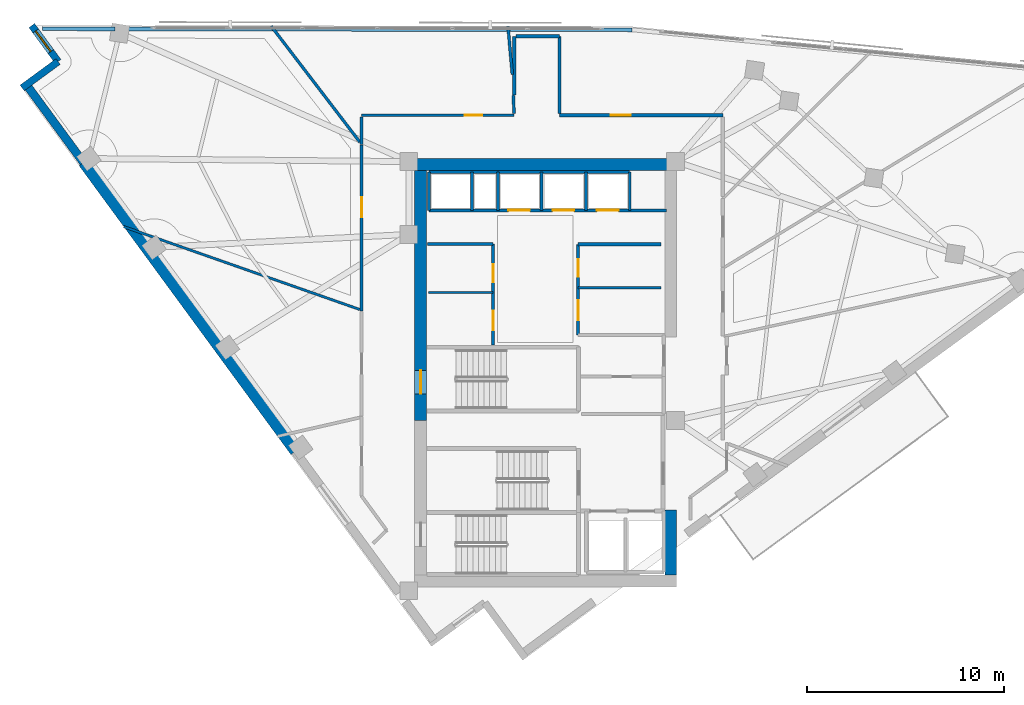
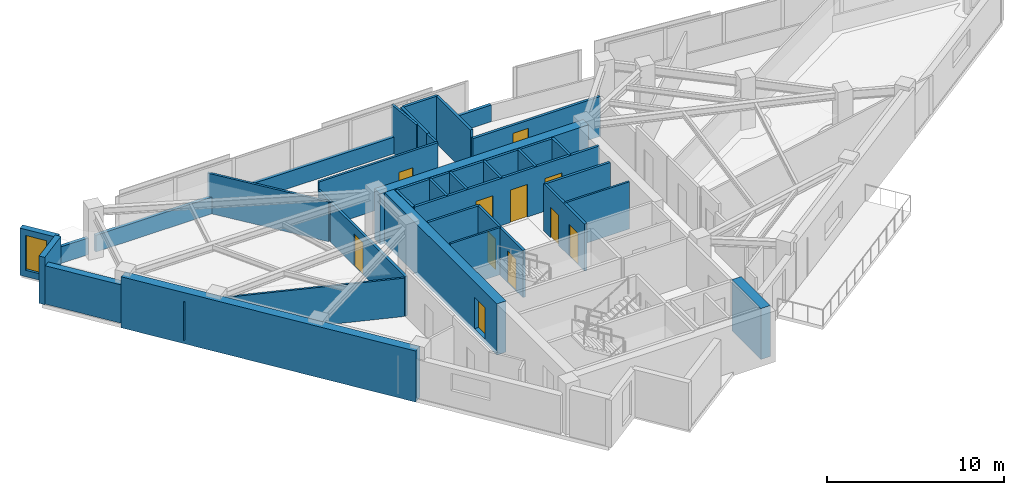
# One storey, part 9 of 13: 35 walls, 11 doors, 1 window, 12 openings.
"""IFC4 building model written with IfcOpenShell, lengths in metres."""

from ifc_helpers import new_model, si_unit, direction, frame, frame_2d, origin, place, context, subcontext, project, spatial, rectangle, extrude, material, layer, layer_set, type_object, element, fill, save


model = new_model("IFC4")

# Units and contexts
model_context = context("Model", 3, precision=1e-05, world=origin(), true_north=direction((0.0, 1.0)))
body_context = subcontext(model_context, "Body", "Model", "MODEL_VIEW")
ifc_project = project(units=[si_unit("LENGTHUNIT", "METRE"), si_unit("AREAUNIT", "SQUARE_METRE"), si_unit("VOLUMEUNIT", "CUBIC_METRE"), si_unit("PLANEANGLEUNIT", "RADIAN"), si_unit("MASSUNIT", "GRAM", prefix="KILO")], contexts=[model_context])

# Site, building, storey
site_placement = place(None, origin())
site = spatial("IfcSite", under=ifc_project, at=site_placement, CompositionType="ELEMENT")
building_placement = place(site_placement, origin())
building = spatial("IfcBuilding", under=site, at=building_placement, Name="Narakoshi Arena Tower", CompositionType="ELEMENT")
storey_placement = place(building_placement, frame((0.0, 0.0, 232.580078125)))
storey = spatial("IfcBuildingStorey", under=building, at=storey_placement, Name="L63", CompositionType="ELEMENT", Elevation=232.580078125)

# Wall
ifc_material_1 = material(Name="Concrete C50/60", Category="concrete")
ifc_layer_1 = layer(ifc_material_1, 0.60009765625)
ifc_layer_set_1 = layer_set([ifc_layer_1], Name="Concrete C50/60")
wall_type_1 = type_object("IfcWallType", Name="WL-CORE-600", PredefinedType="SHEAR", material=ifc_layer_set_1)
wall_1_placement = place(storey_placement, frame((85.300048828125, 35.5, -0.260009765625), z_axis=(0.0, 0.0, 1.0), x_axis=(0.0, 1.0, 0.0)))
element("IfcWall", 1, at=wall_1_placement, inside=storey, type_object=wall_type_1, Name="L63 Central Core Shear Wall CW-APX-E", PredefinedType="SHEAR", context=body_context, shape_type="SweptSolid", body=[
    extrude(rectangle(XDim=3.300048828125, YDim=0.60009765625, at=frame_2d((1.64990234375, 0.0))), origin(), (0.0, 0.0, 1.0), 3.52001953125),
])

# Wall, opening, door
wall_2_placement = place(storey_placement, frame((72.60009765625, 43.35009765625, -0.260009765625), z_axis=(0.0, 0.0, 1.0), x_axis=(0.0, 1.0, 0.0)))
wall_2 = element("IfcWall", 2, at=wall_2_placement, inside=storey, type_object=wall_type_1, Name="L63 Main Core Shear Wall CW-MN-W", PredefinedType="SHEAR", context=body_context, shape_type="SweptSolid", body=[
    extrude(rectangle(XDim=12.699951171875, YDim=0.60009765625, at=frame_2d((6.35009765625, 0.0))), origin(), (0.0, 0.0, 1.0), 3.52001953125),
])
opening_1_placement = place(wall_2_placement, frame((1.35009765625, 0.0, 0.260009765625)))
opening_1 = element("IfcOpeningElement", 3, at=opening_1_placement, cuts=wall_2, Name="Opening D-03", PredefinedType="OPENING", context=body_context, shape_type="SweptSolid", body=[
    extrude(rectangle(XDim=1.199951171875, YDim=2.199951171875, at=frame_2d((0.60009765625, 1.10009765625))), frame((0.0, 0.31005859375, 0.0), z_axis=(0.0, -1.0, 0.0), x_axis=(1.0, 0.0, 0.0)), (0.0, 0.0, 1.0), 0.6201171875),
])
ifc_material_2 = material(Name="Painted galvanized steel", Category="steel")
door_type_1 = type_object("IfcDoorType", Name="DR-STR-1200", OperationType="NOTDEFINED", PredefinedType="USERDEFINED", material=ifc_material_2)
door_1_placement = place(opening_1_placement, frame((1.199951171875, 0.0, 0.0), z_axis=(0.0, 0.0, 1.0), x_axis=(-1.0, 0.0, 0.0)))
door_1 = element("IfcDoor", 4, at=door_1_placement, inside=storey, type_object=door_type_1, Name="DR-L63-007", ObjectType="EXITDOOR", OperationType="SINGLE_SWING_LEFT", OverallHeight=2.199951171875, OverallWidth=1.199951171875, PredefinedType="USERDEFINED", context=body_context, shape_type="SweptSolid", body=[
    extrude(rectangle(XDim=1.199951171875, YDim=2.199951171875, at=frame_2d((0.60009765625, 1.10009765625))), frame((0.0, 0.02490234375, 0.0), z_axis=(0.0, -1.0, 0.0), x_axis=(1.0, 0.0, 0.0)), (0.0, 0.0, 1.0), 0.050048828125),
])
fill(opening_1, door_1)

# Wall
wall_3_placement = place(storey_placement, frame((72.0, 56.35009765625, -0.260009765625), z_axis=(0.0, 0.0, 1.0), x_axis=(1.0, 0.0, 0.0)))
element("IfcWall", 5, at=wall_3_placement, inside=storey, type_object=wall_type_1, Name="L63 Main Core Shear Wall CW-MN-N", PredefinedType="SHEAR", context=body_context, shape_type="SweptSolid", body=[
    extrude(rectangle(XDim=13.60009765625, YDim=0.60009765625, at=frame_2d((6.800048828125, 0.0))), origin(), (0.0, 0.0, 1.0), 3.52001953125),
])

# Wall, opening, door
ifc_material_3 = material(Name="Gypsum plasterboard fire-rated partition")
ifc_layer_2 = layer(ifc_material_3, 0.1650390625)
ifc_layer_set_2 = layer_set([ifc_layer_2], Name="Gypsum plasterboard fire-rated partition")
wall_type_2 = type_object("IfcWallType", Name="WL-CORR-165", PredefinedType="PARTITIONING", material=ifc_layer_set_2)
wall_4_placement = place(storey_placement, frame((87.949951171875, 58.85009765625, 0.0), z_axis=(0.0, 0.0, 1.0), x_axis=(-1.0, 0.0, 0.0)))
wall_4 = element("IfcWall", 6, at=wall_4_placement, inside=storey, type_object=wall_type_2, Name="L63 Corridor Partition 06-1", PredefinedType="PARTITIONING", context=body_context, shape_type="SweptSolid", body=[
    extrude(rectangle(XDim=8.300048828125, YDim=0.1650390625, at=frame_2d((4.14990234375, 0.0))), origin(), (0.0, 0.0, 1.0), 2.744873046875),
])
opening_2_placement = place(wall_4_placement, frame((4.68505859375, 0.0, 0.0)))
opening_2 = element("IfcOpeningElement", 7, at=opening_2_placement, cuts=wall_4, Name="Opening D-06", PredefinedType="OPENING", context=body_context, shape_type="SweptSolid", body=[
    extrude(rectangle(XDim=1.0, YDim=2.199951171875, at=frame_2d((0.5, 1.10009765625))), frame((0.0, 0.092529296875, 0.0), z_axis=(0.0, -1.0, 0.0), x_axis=(1.0, 0.0, 0.0)), (0.0, 0.0, 1.0), 0.18505859375),
])
ifc_material_4 = material(Name="Stained oak solid-core timber", Category="wood")
door_type_2 = type_object("IfcDoorType", Name="DR-OFF-1000", OperationType="NOTDEFINED", PredefinedType="DOOR", material=ifc_material_4)
door_2_placement = place(opening_2_placement, frame((1.0, 0.0, 0.0), z_axis=(0.0, 0.0, 1.0), x_axis=(-1.0, 0.0, 0.0)))
door_2 = element("IfcDoor", 8, at=door_2_placement, inside=storey, type_object=door_type_2, Name="DR-L63-022", OperationType="SINGLE_SWING_RIGHT", OverallHeight=2.199951171875, OverallWidth=1.0, PredefinedType="DOOR", context=body_context, shape_type="SweptSolid", body=[
    extrude(rectangle(XDim=1.0, YDim=2.199951171875, at=frame_2d((0.5, 1.10009765625))), frame((0.0, 0.02490234375, 0.0), z_axis=(0.0, -1.0, 0.0), x_axis=(1.0, 0.0, 0.0)), (0.0, 0.0, 1.0), 0.050048828125),
])
fill(opening_2, door_2)

# Walls
wall_5_placement = place(storey_placement, frame((79.64990234375, 58.944580078125, 0.0), z_axis=(0.0, 0.0, 1.0), x_axis=(0.0, 1.0, 0.0)))
element("IfcWall", 9, at=wall_5_placement, inside=storey, type_object=wall_type_2, Name="L63 Corridor Partition 06-3", PredefinedType="PARTITIONING", context=body_context, shape_type="SweptSolid", body=[
    extrude(rectangle(XDim=3.91552734375, YDim=0.1650390625, at=frame_2d((1.957763671875, 0.0))), origin(), (0.0, 0.0, 1.0), 3.260009765625),
])
wall_6_placement = place(storey_placement, frame((77.35009765625, 62.8642578125, 0.0), z_axis=(0.0, 0.0, 1.0), x_axis=(0.0, -1.0, 0.0)))
element("IfcWall", 10, at=wall_6_placement, inside=storey, type_object=wall_type_2, Name="L63 Corridor Partition 06-4", PredefinedType="PARTITIONING", context=body_context, shape_type="SweptSolid", body=[
    extrude(rectangle(XDim=2.994384765625, YDim=0.1650390625, at=frame_2d((1.4970703125, 0.0))), origin(), (0.0, 0.0, 1.0), 3.260009765625),
])
wall_7_placement = place(storey_placement, frame((79.64990234375, 62.860107421875, 0.0), z_axis=(0.0, 0.0, 1.0), x_axis=(-0.999998431282, 0.001771280295, 0.0)))
element("IfcWall", 11, at=wall_7_placement, inside=storey, type_object=wall_type_2, Name="L63 Corridor Partition 06-5", PredefinedType="PARTITIONING", context=body_context, shape_type="SweptSolid", body=[
    extrude(rectangle(XDim=2.205322265625, YDim=0.1650390625, at=frame_2d((1.1025390625, 0.0))), origin(), (0.0, 0.0, 1.0), 3.260009765625),
])

# Wall, opening, door
wall_8_placement = place(storey_placement, frame((69.60009765625, 57.334716796875, 0.0), z_axis=(0.0, 0.0, 1.0), x_axis=(0.0, -1.0, 0.0)))
wall_8 = element("IfcWall", 12, at=wall_8_placement, inside=storey, type_object=wall_type_2, Name="L63 Corridor Partition 08-1", PredefinedType="PARTITIONING", context=body_context, shape_type="SweptSolid", body=[
    extrude(rectangle(XDim=8.418701171875, YDim=0.1650390625, at=frame_2d((4.20947265625, 0.0))), origin(), (0.0, 0.0, 1.0), 2.744873046875),
])
opening_3_placement = place(wall_8_placement, frame((2.656494140625, 0.0, 0.0)))
opening_3 = element("IfcOpeningElement", 13, at=opening_3_placement, cuts=wall_8, Name="Opening D-06", PredefinedType="OPENING", context=body_context, shape_type="SweptSolid", body=[
    extrude(rectangle(XDim=1.0, YDim=2.199951171875, at=frame_2d((0.5, 1.10009765625))), frame((0.0, 0.092529296875, 0.0), z_axis=(0.0, -1.0, 0.0), x_axis=(1.0, 0.0, 0.0)), (0.0, 0.0, 1.0), 0.18505859375),
])
door_3_placement = place(opening_3_placement, frame((1.0, 0.0, 0.0), z_axis=(0.0, 0.0, 1.0), x_axis=(-1.0, 0.0, 0.0)))
door_3 = element("IfcDoor", 14, at=door_3_placement, inside=storey, type_object=door_type_2, Name="DR-L63-024", OperationType="SINGLE_SWING_RIGHT", OverallHeight=2.199951171875, OverallWidth=1.0, PredefinedType="DOOR", context=body_context, shape_type="SweptSolid", body=[
    extrude(rectangle(XDim=1.0, YDim=2.199951171875, at=frame_2d((0.5, 1.10009765625))), frame((0.0, 0.02490234375, 0.0), z_axis=(0.0, -1.0, 0.0), x_axis=(1.0, 0.0, 0.0)), (0.0, 0.0, 1.0), 0.050048828125),
])
fill(opening_3, door_3)

# Walls
ifc_layer_3 = layer(ifc_material_1, 0.550048828125)
ifc_layer_set_3 = layer_set([ifc_layer_3], Name="Concrete C50/60")
wall_type_3 = type_object("IfcWallType", Name="WL-LEG-550", PredefinedType="SHEAR", material=ifc_layer_set_3)
wall_9_placement = place(storey_placement, frame((55.47509765625, 56.450439453125, -0.260009765625), z_axis=(0.0, 0.0, 1.0), x_axis=(0.591309555876, -0.806444672082, 0.0)))
element("IfcWall", 15, at=wall_9_placement, inside=storey, type_object=wall_type_3, Name="L63 Architectural Concrete Structural Wall LEGB-2", PredefinedType="SHEAR", context=body_context, shape_type="SweptSolid", body=[
    extrude(rectangle(XDim=18.1923828125, YDim=0.550048828125, at=frame_2d((9.09619140625, 0.0))), origin(), (0.0, 0.0, 1.0), 3.52001953125),
])
ifc_material_5 = material(Name="Precast concrete C45/55", Category="concrete")
ifc_layer_4 = layer(ifc_material_5, 0.25)
ifc_layer_set_4 = layer_set([ifc_layer_4], Name="Precast concrete C45/55")
wall_type_4 = type_object("IfcWallType", Name="WL-PARA-250", PredefinedType="PARAPET", material=ifc_layer_set_4)
wall_10_placement = place(storey_placement, frame((83.332275390625, 63.193359375, 0.0), z_axis=(0.0, 0.0, 1.0), x_axis=(-0.999998363757, 0.001809000383, 0.0)))
element("IfcWall", 16, at=wall_10_placement, inside=storey, type_object=wall_type_4, Name="L63 Hypotenuse Sill Upstand Parapet 2-01", PredefinedType="PARAPET", context=body_context, shape_type="SweptSolid", body=[
    extrude(rectangle(XDim=25.777099609375, YDim=0.199951171875, at=frame_2d((12.888671875, 0.0))), origin(), (0.0, 0.0, 1.0), 1.14990234375),
])
wall_11_placement = place(storey_placement, frame((57.064208984375, 63.240966796875, 0.0), z_axis=(0.0, 0.0, 1.0), x_axis=(-0.999998274159, 0.001857869529, 0.0)))
element("IfcWall", 17, at=wall_11_placement, inside=storey, type_object=wall_type_4, Name="L63 Hypotenuse Sill Upstand Parapet 2-02", PredefinedType="PARAPET", context=body_context, shape_type="SweptSolid", body=[
    extrude(rectangle(XDim=3.679443359375, YDim=0.199951171875, at=frame_2d((1.83984375, 0.0))), origin(), (0.0, 0.0, 1.0), 1.14990234375),
])
ifc_layer_5 = layer(ifc_material_3, 0.125)
ifc_layer_set_5 = layer_set([ifc_layer_5], Name="Gypsum plasterboard fire-rated partition")
wall_type_5 = type_object("IfcWallType", Name="WL-PART-125", PredefinedType="PARTITIONING", material=ifc_layer_set_5)
wall_12_placement = place(storey_placement, frame((73.0, 49.85009765625, 0.0), z_axis=(0.0, 0.0, 1.0), x_axis=(1.0, 0.0, 0.0)))
element("IfcWall", 18, at=wall_12_placement, inside=storey, type_object=wall_type_5, Name="L63 Core Wall RCL-LR-D0", PredefinedType="PARTITIONING", context=body_context, shape_type="SweptSolid", body=[
    extrude(rectangle(XDim=3.280029296875, YDim=0.125, at=frame_2d((1.64013671875, 0.0))), origin(), (0.0, 0.0, 1.0), 3.260009765625),
])
wall_13_placement = place(storey_placement, frame((80.60009765625, 50.10009765625, 0.0), z_axis=(0.0, 0.0, 1.0), x_axis=(1.0, 0.0, 0.0)))
element("IfcWall", 19, at=wall_13_placement, inside=storey, type_object=wall_type_5, Name="L63 Core Wall RCL-MR-D", PredefinedType="PARTITIONING", context=body_context, shape_type="SweptSolid", body=[
    extrude(rectangle(XDim=4.219970703125, YDim=0.125, at=frame_2d((2.10986328125, 0.0))), origin(), (0.0, 0.0, 1.0), 3.260009765625),
])
wall_14_placement = place(storey_placement, frame((69.505615234375, 48.9873046875, 0.0), z_axis=(0.0, 0.0, 1.0), x_axis=(-0.943602089714, 0.331081706363, 0.0)))
element("IfcWall", 20, at=wall_14_placement, inside=storey, type_object=wall_type_5, Name="L63 Inter-Room Partition 08-09", PredefinedType="PARTITIONING", context=body_context, shape_type="SweptSolid", body=[
    extrude(rectangle(XDim=12.697998046875, YDim=0.125, at=frame_2d((6.34912109375, 0.0))), origin(), (0.0, 0.0, 1.0), 2.64501953125),
])
ifc_layer_6 = layer(ifc_material_5, 0.419921875)
ifc_layer_set_6 = layer_set([ifc_layer_6], Name="Precast concrete C45/55")
wall_type_6 = type_object("IfcWallType", Name="WL-POD-420", PredefinedType="SOLIDWALL", material=ifc_layer_set_6)
wall_15_placement = place(storey_placement, frame((52.578857421875, 60.400390625, 0.0), z_axis=(0.0, 0.0, 1.0), x_axis=(0.591311800505, -0.806443026248, 0.0)))
element("IfcWall", 21, at=wall_15_placement, inside=storey, type_object=wall_type_6, Name="L63 Architectural Concrete Facade Wall LEGB-1", PredefinedType="SOLIDWALL", context=body_context, shape_type="SweptSolid", body=[
    extrude(rectangle(XDim=4.89794921875, YDim=0.419921875, at=frame_2d((2.448974609375, 0.0))), origin(), (0.0, 0.0, 1.0), 2.64501953125),
])

# Wall, opening, window
wall_16_placement = place(storey_placement, frame((52.84521484375, 63.40869140625, 0.0), z_axis=(0.0, 0.0, 1.0), x_axis=(0.591251685745, -0.806487101015, 0.0)))
wall_16 = element("IfcWall", 22, at=wall_16_placement, inside=storey, type_object=wall_type_6, Name="L63 Re-Entrant Corner Notch Wall NTN-1", PredefinedType="SOLIDWALL", context=body_context, shape_type="SweptSolid", body=[
    extrude(rectangle(XDim=2.2685546875, YDim=0.360107421875, at=frame_2d((1.13427734375, 0.0))), origin(), (0.0, 0.0, 1.0), 3.260009765625),
])
opening_4_placement = place(wall_16_placement, frame((0.340087890625, 0.0, 0.449951171875)))
opening_4 = element("IfcOpeningElement", 23, at=opening_4_placement, cuts=wall_16, Name="Opening WN-06", PredefinedType="OPENING", context=body_context, shape_type="SweptSolid", body=[
    extrude(rectangle(XDim=1.300048828125, YDim=2.39990234375, at=frame_2d((0.64990234375, 1.199951171875))), frame((0.0, 0.18994140625, 0.0), z_axis=(0.0, -1.0, 0.0), x_axis=(1.0, 0.0, 0.0)), (0.0, 0.0, 1.0), 0.380126953125),
])
ifc_material_6 = material(Name="Bronze-tinted low-E laminated glass", Category="glass")
window_type = type_object("IfcWindowType", Name="WIN-NTC-16x24", PartitioningType="SINGLE_PANEL", PredefinedType="WINDOW", material=ifc_material_6)
window_placement = place(opening_4_placement, origin())
window = element("IfcWindow", 24, at=window_placement, inside=storey, type_object=window_type, Name="L63 Corner Notch Window NTN", OverallHeight=2.39990234375, OverallWidth=1.300048828125, PartitioningType="SINGLE_PANEL", PredefinedType="WINDOW", context=body_context, shape_type="SweptSolid", body=[
    extrude(rectangle(XDim=1.300048828125, YDim=2.39990234375, at=frame_2d((0.64990234375, 1.199951171875))), frame((0.0, 0.030029296875, 0.0), z_axis=(0.0, -1.0, 0.0), x_axis=(1.0, 0.0, 0.0)), (0.0, 0.0, 1.0), 0.06005859375),
])
fill(opening_4, window)

# Walls
wall_17_placement = place(storey_placement, frame((54.1865234375, 61.5791015625, 0.0), z_axis=(0.0, 0.0, 1.0), x_axis=(-0.806449475274, -0.591303005092, 0.0)))
element("IfcWall", 25, at=wall_17_placement, inside=storey, type_object=wall_type_6, Name="L63 Re-Entrant Corner Notch Wall NTN-2", PredefinedType="SOLIDWALL", context=body_context, shape_type="SweptSolid", body=[
    extrude(rectangle(XDim=2.268310546875, YDim=0.360107421875, at=frame_2d((1.13427734375, 0.0))), origin(), (0.0, 0.0, 1.0), 3.260009765625),
])
ifc_material_7 = material(Name="Concrete C40/50", Category="concrete")
ifc_layer_7 = layer(ifc_material_7, 0.280029296875)
ifc_layer_set_7 = layer_set([ifc_layer_7], Name="Concrete C40/50")
wall_type_7 = type_object("IfcWallType", Name="WL-RISER-280", PredefinedType="PLUMBINGWALL", material=ifc_layer_set_7)
for number, where, z_axis, x_axis, name in (
    (26, (73.02001953125, 54.02001953125, 0.0), (0.0, 0.0, 1.0), (0.0, 1.0, 0.0), "L63 Core Wall OBS-W"),
    (27, (75.219970703125, 54.02001953125, 0.0), (0.0, 0.0, 1.0), (0.0, 1.0, 0.0), "L63 Core Wall OBS-M"),
):
    element("IfcWall", number, at=place(storey_placement, frame(where, z_axis=z_axis, x_axis=x_axis)), inside=storey, type_object=wall_type_7, Name=name, PredefinedType="PLUMBINGWALL", context=body_context, shape_type="SweptSolid", body=[
        extrude(rectangle(XDim=1.93994140625, YDim=0.14990234375, at=frame_2d((0.969970703125, 0.0))), origin(), (0.0, 0.0, 1.0), 3.260009765625),
    ])
for number, where, z_axis, x_axis, name in (
    (28, (78.75, 54.02001953125, 0.0), (0.0, 0.0, 1.0), (0.0, 1.0, 0.0), "L63 Core Wall HR-D1"),
    (29, (81.0, 54.02001953125, 0.0), (0.0, 0.0, 1.0), (0.0, 1.0, 0.0), "L63 Core Wall HR-D2"),
):
    element("IfcWall", number, at=place(storey_placement, frame(where, z_axis=z_axis, x_axis=x_axis)), inside=storey, type_object=wall_type_7, Name=name, PredefinedType="PLUMBINGWALL", context=body_context, shape_type="SweptSolid", body=[
        extrude(rectangle(XDim=1.9599609375, YDim=0.14990234375, at=frame_2d((0.97998046875, 0.0))), origin(), (0.0, 0.0, 1.0), 3.260009765625),
    ])

# Wall, openings, doors
ifc_layer_8 = layer(ifc_material_1, 0.35009765625)
ifc_layer_set_8 = layer_set([ifc_layer_8], Name="Concrete C50/60")
wall_type_8 = type_object("IfcWallType", Name="WL-SHAFT-350", PredefinedType="SOLIDWALL", material=ifc_layer_set_8)
wall_18_placement = place(storey_placement, frame((76.280029296875, 47.179931640625, 0.0), z_axis=(0.0, 0.0, 1.0), x_axis=(0.0, 1.0, 0.0)))
wall_18 = element("IfcWall", 30, at=wall_18_placement, inside=storey, type_object=wall_type_8, Name="L63 Core Wall LR-E", PredefinedType="SOLIDWALL", context=body_context, shape_type="SweptSolid", body=[
    extrude(rectangle(XDim=5.14013671875, YDim=0.159912109375, at=frame_2d((2.570068359375, 0.0))), origin(), (0.0, 0.0, 1.0), 3.260009765625),
])
opening_5_placement = place(wall_18_placement, frame((0.75, 0.0, 0.0)))
opening_5 = element("IfcOpeningElement", 31, at=opening_5_placement, cuts=wall_18, Name="Opening D-06", PredefinedType="OPENING", context=body_context, shape_type="SweptSolid", body=[
    extrude(rectangle(XDim=1.0, YDim=2.199951171875, at=frame_2d((0.5, 1.10009765625))), frame((0.0, 0.08984375, 0.0), z_axis=(0.0, -1.0, 0.0), x_axis=(1.0, 0.0, 0.0)), (0.0, 0.0, 1.0), 0.179931640625),
])
opening_6_placement = place(wall_18_placement, frame((3.199951171875, 0.0, 0.0)))
opening_6 = element("IfcOpeningElement", 32, at=opening_6_placement, cuts=wall_18, Name="Opening D-08", PredefinedType="OPENING", context=body_context, shape_type="SweptSolid", body=[
    extrude(rectangle(XDim=0.89990234375, YDim=2.10009765625, at=frame_2d((0.449951171875, 1.050048828125))), frame((0.0, 0.08984375, 0.0), z_axis=(0.0, -1.0, 0.0), x_axis=(1.0, 0.0, 0.0)), (0.0, 0.0, 1.0), 0.179931640625),
])
door_4_placement = place(opening_5_placement, frame((1.0, 0.0, 0.0), z_axis=(0.0, 0.0, 1.0), x_axis=(-1.0, 0.0, 0.0)))
door_4 = element("IfcDoor", 33, at=door_4_placement, inside=storey, type_object=door_type_2, Name="DR-L63-010", OperationType="SINGLE_SWING_LEFT", OverallHeight=2.199951171875, OverallWidth=1.0, PredefinedType="DOOR", context=body_context, shape_type="SweptSolid", body=[
    extrude(rectangle(XDim=1.0, YDim=2.199951171875, at=frame_2d((0.5, 1.10009765625))), frame((0.0, 0.02490234375, 0.0), z_axis=(0.0, -1.0, 0.0), x_axis=(1.0, 0.0, 0.0)), (0.0, 0.0, 1.0), 0.050048828125),
])
fill(opening_5, door_4)
ifc_material_8 = material(Name="Moisture-resistant laminate timber", Category="wood")
door_type_3 = type_object("IfcDoorType", Name="DR-WC-900", OperationType="NOTDEFINED", PredefinedType="DOOR", material=ifc_material_8)
door_5_placement = place(opening_6_placement, frame((0.89990234375, 0.0, 0.0), z_axis=(0.0, 0.0, 1.0), x_axis=(-1.0, 0.0, 0.0)))
door_5 = element("IfcDoor", 34, at=door_5_placement, inside=storey, type_object=door_type_3, Name="DR-L63-011", OperationType="SINGLE_SWING_RIGHT", OverallHeight=2.10009765625, OverallWidth=0.89990234375, PredefinedType="DOOR", context=body_context, shape_type="SweptSolid", body=[
    extrude(rectangle(XDim=0.89990234375, YDim=2.10009765625, at=frame_2d((0.449951171875, 1.050048828125))), frame((0.0, 0.02490234375, 0.0), z_axis=(0.0, -1.0, 0.0), x_axis=(1.0, 0.0, 0.0)), (0.0, 0.0, 1.0), 0.050048828125),
])
fill(opening_6, door_5)

# Wall
wall_19_placement = place(storey_placement, frame((72.949951171875, 52.320068359375, 0.0), z_axis=(0.0, 0.0, 1.0), x_axis=(1.0, 0.0, 0.0)))
element("IfcWall", 35, at=wall_19_placement, inside=storey, type_object=wall_type_8, Name="L63 Core Wall LR-N", PredefinedType="SOLIDWALL", context=body_context, shape_type="SweptSolid", body=[
    extrude(rectangle(XDim=3.330078125, YDim=0.14990234375, at=frame_2d((1.6650390625, 0.0))), origin(), (0.0, 0.0, 1.0), 3.260009765625),
])

# Wall, openings, doors
wall_20_placement = place(storey_placement, frame((80.60009765625, 47.699951171875, 0.0), z_axis=(0.0, 0.0, 1.0), x_axis=(0.0, 1.0, 0.0)))
wall_20 = element("IfcWall", 36, at=wall_20_placement, inside=storey, type_object=wall_type_8, Name="L63 Core Wall MR-W", PredefinedType="SOLIDWALL", context=body_context, shape_type="SweptSolid", body=[
    extrude(rectangle(XDim=4.60009765625, YDim=0.159912109375, at=frame_2d((2.300048828125, 0.0))), origin(), (0.0, 0.0, 1.0), 3.260009765625),
])
opening_7_placement = place(wall_20_placement, frame((0.75, 0.0, 0.0)))
opening_7 = element("IfcOpeningElement", 37, at=opening_7_placement, cuts=wall_20, Name="Opening D-06", PredefinedType="OPENING", context=body_context, shape_type="SweptSolid", body=[
    extrude(rectangle(XDim=1.0, YDim=2.199951171875, at=frame_2d((0.5, 1.10009765625))), frame((0.0, 0.08984375, 0.0), z_axis=(0.0, -1.0, 0.0), x_axis=(1.0, 0.0, 0.0)), (0.0, 0.0, 1.0), 0.179931640625),
])
opening_8_placement = place(wall_20_placement, frame((2.949951171875, 0.0, 0.0)))
opening_8 = element("IfcOpeningElement", 38, at=opening_8_placement, cuts=wall_20, Name="Opening D-08", PredefinedType="OPENING", context=body_context, shape_type="SweptSolid", body=[
    extrude(rectangle(XDim=0.89990234375, YDim=2.10009765625, at=frame_2d((0.449951171875, 1.050048828125))), frame((0.0, 0.08984375, 0.0), z_axis=(0.0, -1.0, 0.0), x_axis=(1.0, 0.0, 0.0)), (0.0, 0.0, 1.0), 0.179931640625),
])
door_6_placement = place(opening_7_placement, origin())
door_6 = element("IfcDoor", 39, at=door_6_placement, inside=storey, type_object=door_type_2, Name="DR-L63-012", OperationType="SINGLE_SWING_RIGHT", OverallHeight=2.199951171875, OverallWidth=1.0, PredefinedType="DOOR", context=body_context, shape_type="SweptSolid", body=[
    extrude(rectangle(XDim=1.0, YDim=2.199951171875, at=frame_2d((0.5, 1.10009765625))), frame((0.0, 0.02490234375, 0.0), z_axis=(0.0, -1.0, 0.0), x_axis=(1.0, 0.0, 0.0)), (0.0, 0.0, 1.0), 0.050048828125),
])
fill(opening_7, door_6)
door_7_placement = place(opening_8_placement, origin())
door_7 = element("IfcDoor", 40, at=door_7_placement, inside=storey, type_object=door_type_3, Name="DR-L63-013", OperationType="SINGLE_SWING_LEFT", OverallHeight=2.10009765625, OverallWidth=0.89990234375, PredefinedType="DOOR", context=body_context, shape_type="SweptSolid", body=[
    extrude(rectangle(XDim=0.89990234375, YDim=2.10009765625, at=frame_2d((0.449951171875, 1.050048828125))), frame((0.0, 0.02490234375, 0.0), z_axis=(0.0, -1.0, 0.0), x_axis=(1.0, 0.0, 0.0)), (0.0, 0.0, 1.0), 0.050048828125),
])
fill(opening_8, door_7)

# Wall
wall_21_placement = place(storey_placement, frame((80.60009765625, 52.300048828125, 0.0), z_axis=(0.0, 0.0, 1.0), x_axis=(1.0, 0.0, 0.0)))
element("IfcWall", 41, at=wall_21_placement, inside=storey, type_object=wall_type_8, Name="L63 Core Wall MR-N", PredefinedType="SOLIDWALL", context=body_context, shape_type="SweptSolid", body=[
    extrude(rectangle(XDim=4.219970703125, YDim=0.159912109375, at=frame_2d((2.10986328125, 0.0))), origin(), (0.0, 0.0, 1.0), 3.260009765625),
])

# Wall, openings, doors
wall_22_placement = place(storey_placement, frame((73.02001953125, 54.02001953125, 0.0), z_axis=(0.0, 0.0, 1.0), x_axis=(1.0, 0.0, 0.0)))
wall_22 = element("IfcWall", 42, at=wall_22_placement, inside=storey, type_object=wall_type_8, Name="L63 Core Wall NSHF-S", PredefinedType="SOLIDWALL", context=body_context, shape_type="SweptSolid", body=[
    extrude(rectangle(XDim=12.080078125, YDim=0.159912109375, at=frame_2d((6.0400390625, 0.0))), origin(), (0.0, 0.0, 1.0), 3.260009765625),
])
opening_9_placement = place(wall_22_placement, frame((4.030029296875, 0.0, 0.0)))
opening_9 = element("IfcOpeningElement", 43, at=opening_9_placement, cuts=wall_22, Name="Opening LD-01", PredefinedType="OPENING", context=body_context, shape_type="SweptSolid", body=[
    extrude(rectangle(XDim=1.10009765625, YDim=2.25, at=frame_2d((0.550048828125, 1.125))), frame((0.0, 0.08984375, 0.0), z_axis=(0.0, -1.0, 0.0), x_axis=(1.0, 0.0, 0.0)), (0.0, 0.0, 1.0), 0.179931640625),
])
opening_10_placement = place(wall_22_placement, frame((6.280029296875, 0.0, 0.0)))
opening_10 = element("IfcOpeningElement", 44, at=opening_10_placement, cuts=wall_22, Name="Opening LD-01", PredefinedType="OPENING", context=body_context, shape_type="SweptSolid", body=[
    extrude(rectangle(XDim=1.10009765625, YDim=2.25, at=frame_2d((0.550048828125, 1.125))), frame((0.0, 0.08984375, 0.0), z_axis=(0.0, -1.0, 0.0), x_axis=(1.0, 0.0, 0.0)), (0.0, 0.0, 1.0), 0.179931640625),
])
opening_11_placement = place(wall_22_placement, frame((8.530029296875, 0.0, 0.0)))
opening_11 = element("IfcOpeningElement", 45, at=opening_11_placement, cuts=wall_22, Name="Opening LD-01", PredefinedType="OPENING", context=body_context, shape_type="SweptSolid", body=[
    extrude(rectangle(XDim=1.10009765625, YDim=2.25, at=frame_2d((0.550048828125, 1.125))), frame((0.0, 0.08984375, 0.0), z_axis=(0.0, -1.0, 0.0), x_axis=(1.0, 0.0, 0.0)), (0.0, 0.0, 1.0), 0.179931640625),
])
ifc_material_9 = material(Name="Brushed bronze stainless steel", Category="steel")
door_type_4 = type_object("IfcDoorType", Name="DR-LFT-1100", OperationType="DOUBLE_DOOR_SLIDING", PredefinedType="DOOR", material=ifc_material_9)
door_8_placement = place(opening_9_placement, origin())
door_8 = element("IfcDoor", 46, at=door_8_placement, inside=storey, type_object=door_type_4, Name="DR-L63-014", OperationType="DOUBLE_DOOR_SLIDING", OverallHeight=2.25, OverallWidth=1.10009765625, PredefinedType="DOOR", context=body_context, shape_type="SweptSolid", body=[
    extrude(rectangle(XDim=1.10009765625, YDim=2.25, at=frame_2d((0.550048828125, 1.125))), frame((0.0, 0.02490234375, 0.0), z_axis=(0.0, -1.0, 0.0), x_axis=(1.0, 0.0, 0.0)), (0.0, 0.0, 1.0), 0.050048828125),
])
fill(opening_9, door_8)
door_9_placement = place(opening_10_placement, origin())
door_9 = element("IfcDoor", 47, at=door_9_placement, inside=storey, type_object=door_type_4, Name="DR-L63-015", OperationType="DOUBLE_DOOR_SLIDING", OverallHeight=2.25, OverallWidth=1.10009765625, PredefinedType="DOOR", context=body_context, shape_type="SweptSolid", body=[
    extrude(rectangle(XDim=1.10009765625, YDim=2.25, at=frame_2d((0.550048828125, 1.125))), frame((0.0, 0.02490234375, 0.0), z_axis=(0.0, -1.0, 0.0), x_axis=(1.0, 0.0, 0.0)), (0.0, 0.0, 1.0), 0.050048828125),
])
fill(opening_10, door_9)
door_10_placement = place(opening_11_placement, origin())
door_10 = element("IfcDoor", 48, at=door_10_placement, inside=storey, type_object=door_type_4, Name="DR-L63-016", OperationType="DOUBLE_DOOR_SLIDING", OverallHeight=2.25, OverallWidth=1.10009765625, PredefinedType="DOOR", context=body_context, shape_type="SweptSolid", body=[
    extrude(rectangle(XDim=1.10009765625, YDim=2.25, at=frame_2d((0.550048828125, 1.125))), frame((0.0, 0.02490234375, 0.0), z_axis=(0.0, -1.0, 0.0), x_axis=(1.0, 0.0, 0.0)), (0.0, 0.0, 1.0), 0.050048828125),
])
fill(opening_11, door_10)

# Walls
wall_23_placement = place(storey_placement, frame((73.02001953125, 55.9599609375, 0.0), z_axis=(0.0, 0.0, 1.0), x_axis=(1.0, 0.0, 0.0)))
element("IfcWall", 49, at=wall_23_placement, inside=storey, type_object=wall_type_8, Name="L63 Core Wall OBS-N", PredefinedType="SOLIDWALL", context=body_context, shape_type="SweptSolid", body=[
    extrude(rectangle(XDim=3.5, YDim=0.14990234375, at=frame_2d((1.75, 0.0))), origin(), (0.0, 0.0, 1.0), 3.260009765625),
])
wall_24_placement = place(storey_placement, frame((76.52001953125, 54.02001953125, 0.0), z_axis=(0.0, 0.0, 1.0), x_axis=(0.0, 1.0, 0.0)))
element("IfcWall", 50, at=wall_24_placement, inside=storey, type_object=wall_type_8, Name="L63 Core Wall OBS-E", PredefinedType="SOLIDWALL", context=body_context, shape_type="SweptSolid", body=[
    extrude(rectangle(XDim=1.93994140625, YDim=0.14990234375, at=frame_2d((0.969970703125, 0.0))), origin(), (0.0, 0.0, 1.0), 3.260009765625),
])
wall_25_placement = place(storey_placement, frame((83.219970703125, 54.02001953125, 0.0), z_axis=(0.0, 0.0, 1.0), x_axis=(0.0, 1.0, 0.0)))
element("IfcWall", 51, at=wall_25_placement, inside=storey, type_object=wall_type_8, Name="L63 Core Wall HR-E", PredefinedType="SOLIDWALL", context=body_context, shape_type="SweptSolid", body=[
    extrude(rectangle(XDim=1.9599609375, YDim=0.14990234375, at=frame_2d((0.97998046875, 0.0))), origin(), (0.0, 0.0, 1.0), 3.260009765625),
])
wall_26_placement = place(storey_placement, frame((76.52001953125, 55.9599609375, 0.0), z_axis=(0.0, 0.0, 1.0), x_axis=(1.0, 0.0, 0.0)))
element("IfcWall", 52, at=wall_26_placement, inside=storey, type_object=wall_type_8, Name="L63 Core Wall HR-N", PredefinedType="SOLIDWALL", context=body_context, shape_type="SweptSolid", body=[
    extrude(rectangle(XDim=6.699951171875, YDim=0.14990234375, at=frame_2d((3.35009765625, 0.0))), origin(), (0.0, 0.0, 1.0), 3.260009765625),
])
ifc_material_10 = material(Name="Moisture-resistant cement-board partition")
ifc_layer_9 = layer(ifc_material_10, 0.14501953125)
ifc_layer_set_9 = layer_set([ifc_layer_9], Name="Moisture-resistant cement-board partition")
wall_type_9 = type_object("IfcWallType", Name="WL-WET-145", PredefinedType="PARTITIONING", material=ifc_layer_set_9)
wall_27_placement = place(storey_placement, frame((77.255615234375, 60.923095703125, 0.0), z_axis=(0.0, 0.0, 1.0), x_axis=(-0.089431228249, 0.995992999681, 0.0)))
element("IfcWall", 53, at=wall_27_placement, inside=storey, type_object=wall_type_9, Name="L63 Inter-Room Partition 06-07", PredefinedType="PARTITIONING", context=body_context, shape_type="SweptSolid", body=[
    extrude(rectangle(XDim=2.451416015625, YDim=0.14501953125, at=frame_2d((1.2255859375, 0.0))), origin(), (0.0, 0.0, 1.0), 3.260009765625),
])

# Wall, opening, door
wall_28_placement = place(storey_placement, frame((77.35009765625, 58.85009765625, 0.0), z_axis=(0.0, 0.0, 1.0), x_axis=(-1.0, 0.0, 0.0)))
wall_28 = element("IfcWall", 54, at=wall_28_placement, inside=storey, type_object=wall_type_9, Name="L63 Corridor Partition 07-1", PredefinedType="PARTITIONING", context=body_context, shape_type="SweptSolid", body=[
    extrude(rectangle(XDim=7.75, YDim=0.14501953125, at=frame_2d((3.875, 0.0))), origin(), (0.0, 0.0, 1.0), 3.260009765625),
])
opening_12_placement = place(wall_28_placement, frame((1.618896484375, 0.0, 0.0)))
opening_12 = element("IfcOpeningElement", 55, at=opening_12_placement, cuts=wall_28, Name="Opening D-08", PredefinedType="OPENING", context=body_context, shape_type="SweptSolid", body=[
    extrude(rectangle(XDim=0.89990234375, YDim=2.10009765625, at=frame_2d((0.449951171875, 1.050048828125))), frame((0.0, 0.08251953125, 0.0), z_axis=(0.0, -1.0, 0.0), x_axis=(1.0, 0.0, 0.0)), (0.0, 0.0, 1.0), 0.1650390625),
])
door_11_placement = place(opening_12_placement, frame((0.89990234375, 0.0, 0.0), z_axis=(0.0, 0.0, 1.0), x_axis=(-1.0, 0.0, 0.0)))
door_11 = element("IfcDoor", 56, at=door_11_placement, inside=storey, type_object=door_type_3, Name="DR-L63-023", OperationType="SINGLE_SWING_RIGHT", OverallHeight=2.10009765625, OverallWidth=0.89990234375, PredefinedType="DOOR", context=body_context, shape_type="SweptSolid", body=[
    extrude(rectangle(XDim=0.89990234375, YDim=2.10009765625, at=frame_2d((0.449951171875, 1.050048828125))), frame((0.0, 0.02490234375, 0.0), z_axis=(0.0, -1.0, 0.0), x_axis=(1.0, 0.0, 0.0)), (0.0, 0.0, 1.0), 0.050048828125),
])
fill(opening_12, door_11)

# Walls
wall_29_placement = place(storey_placement, frame((69.60009765625, 58.765380859375, 0.0), z_axis=(0.0, 0.0, 1.0), x_axis=(0.0, -1.0, 0.0)))
element("IfcWall", 57, at=wall_29_placement, inside=storey, type_object=wall_type_9, Name="L63 Corridor Partition 07-2", PredefinedType="PARTITIONING", context=body_context, shape_type="SweptSolid", body=[
    extrude(rectangle(XDim=1.3916015625, YDim=0.14501953125, at=frame_2d((0.69580078125, 0.0))), origin(), (0.0, 0.0, 1.0), 2.744873046875),
])
wall_30_placement = place(storey_placement, frame((77.305419921875, 59.869873046875, 0.0), z_axis=(0.0, 0.0, 1.0), x_axis=(0.043550393023, -0.999051231553, 0.0)))
element("IfcWall", 58, at=wall_30_placement, inside=storey, type_object=wall_type_9, Name="L63 Corridor Partition 07-3", PredefinedType="PARTITIONING", context=body_context, shape_type="SweptSolid", body=[
    extrude(rectangle(XDim=0.936279296875, YDim=0.14501953125, at=frame_2d((0.46826171875, 0.0))), origin(), (0.0, 0.0, 1.0), 3.260009765625),
])
wall_31_placement = place(storey_placement, frame((69.515380859375, 57.484375, 0.0), z_axis=(0.0, 0.0, 1.0), x_axis=(-0.607418396682, 0.794382081477, 0.0)))
element("IfcWall", 59, at=wall_31_placement, inside=storey, type_object=wall_type_9, Name="L63 Inter-Room Partition 07-08", PredefinedType="PARTITIONING", context=body_context, shape_type="SweptSolid", body=[
    extrude(rectangle(XDim=7.43017578125, YDim=0.14501953125, at=frame_2d((3.715087890625, 0.0))), origin(), (0.0, 0.0, 1.0), 2.744873046875),
])

save(model, "model.ifc")
